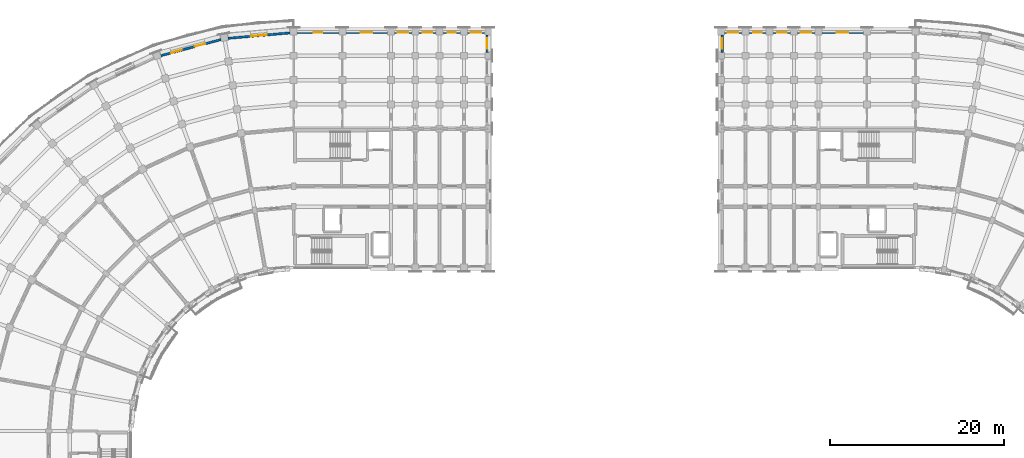
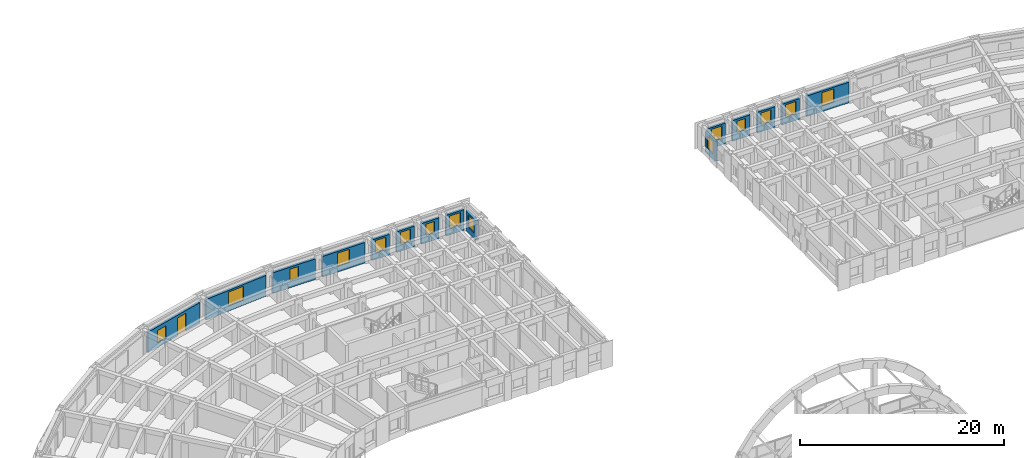
# One storey, part 55 of 76: 15 walls, 15 windows, 1 door, 16 openings.
"""IFC4 building model written with IfcOpenShell, lengths in metres."""

from ifc_helpers import new_model, si_unit, direction, frame, frame_2d, origin, place, context, subcontext, project, spatial, rectangle, extrude, material, layer, layer_set, type_object, element, fill, save


model = new_model("IFC4")

# Units and contexts
model_context = context("Model", 3, precision=1e-05, world=origin(), true_north=direction((0.0, 1.0)))
body_context = subcontext(model_context, "Body", "Model", "MODEL_VIEW")
ifc_project = project(units=[si_unit("LENGTHUNIT", "METRE"), si_unit("AREAUNIT", "SQUARE_METRE"), si_unit("VOLUMEUNIT", "CUBIC_METRE"), si_unit("PLANEANGLEUNIT", "RADIAN"), si_unit("MASSUNIT", "GRAM", prefix="KILO")], contexts=[model_context])

# Site, building, storey
site_placement = place(None, origin())
site = spatial("IfcSite", under=ifc_project, at=site_placement, CompositionType="ELEMENT")
building_placement = place(site_placement, origin())
building = spatial("IfcBuilding", under=site, at=building_placement, Name="Kiranvali Square Residences", CompositionType="ELEMENT")
storey_placement = place(building_placement, frame((0.0, 0.0, 8.699951171875)))
storey = spatial("IfcBuildingStorey", under=building, at=storey_placement, Name="L02", CompositionType="ELEMENT", Elevation=8.699951171875)

# Wall, opening, window
ifc_material_1 = material(Name="Breathable lime-rendered clay brick masonry", Category="masonry")
ifc_layer = layer(ifc_material_1, 0.27490234375)
ifc_layer_set = layer_set([ifc_layer], Name="Breathable lime-rendered clay brick masonry")
wall_type = type_object("IfcWallType", Name="WL-EXT-275", PredefinedType="STANDARD", material=ifc_layer_set)
wall_1_placement = place(storey_placement, frame((47.785400390625, 133.63818359375, 0.0), z_axis=(0.0, 0.0, 1.0), x_axis=(-0.99619608453, -0.08713989423, 0.0)))
wall_1 = element("IfcWall", 1, at=wall_1_placement, inside=storey, type_object=wall_type, Name="L02 exterior wall A-L02-CRV-00", PredefinedType="STANDARD", context=body_context, shape_type="SweptSolid", body=[
    extrude(rectangle(XDim=7.1640625, YDim=0.27490234375, at=frame_2d((3.58203125, 0.0))), origin(), (0.0, 0.0, 1.0), 2.47216796875),
])
opening_1_placement = place(wall_1_placement, frame((2.68212890625, 0.0, 0.6220703125)))
opening_1 = element("IfcOpeningElement", 2, at=opening_1_placement, cuts=wall_1, Name="Opening W-04", PredefinedType="OPENING", context=body_context, shape_type="SweptSolid", body=[
    extrude(rectangle(XDim=1.800048828125, YDim=1.64990234375, at=frame_2d((0.89990234375, 0.824951171875))), frame((0.0, 0.1474609375, 0.0), z_axis=(0.0, -1.0, 0.0), x_axis=(1.0, 0.0, 0.0)), (0.0, 0.0, 1.0), 0.294921875),
])
ifc_material_2 = material(Name="Solar-control low-e double glazing", Category="glass")
window_type_1 = type_object("IfcWindowType", Name="WIN-RES-1800x1650", PartitioningType="DOUBLE_PANEL_VERTICAL", PredefinedType="WINDOW", material=ifc_material_2)
window_1_placement = place(opening_1_placement, origin())
window_1 = element("IfcWindow", 3, at=window_1_placement, inside=storey, type_object=window_type_1, Name="L02 recessed window A-L02-CRV-00", OverallHeight=1.64990234375, OverallWidth=1.800048828125, PartitioningType="DOUBLE_PANEL_VERTICAL", PredefinedType="WINDOW", context=body_context, shape_type="SweptSolid", body=[
    extrude(rectangle(XDim=1.800048828125, YDim=1.64990234375, at=frame_2d((0.89990234375, 0.824951171875))), frame((0.0, 0.030029296875, 0.0), z_axis=(0.0, -1.0, 0.0), x_axis=(1.0, 0.0, 0.0)), (0.0, 0.0, 1.0), 0.06005859375),
])
fill(opening_1, window_1)

# Wall, openings, door, window
wall_2_placement = place(storey_placement, frame((39.83203125, 132.869873046875, 0.0), z_axis=(0.0, 0.0, 1.0), x_axis=(-0.965923712619, -0.258826933296, 0.0)))
wall_2 = element("IfcWall", 4, at=wall_2_placement, inside=storey, type_object=wall_type, Name="L02 exterior wall A-L02-CRV-01", PredefinedType="STANDARD", context=body_context, shape_type="SweptSolid", body=[
    extrude(rectangle(XDim=7.1640625, YDim=0.27490234375, at=frame_2d((3.58203125, 0.0))), origin(), (0.0, 0.0, 1.0), 2.47216796875),
])
opening_2_placement = place(wall_2_placement, frame((4.6904296875, 0.0, 0.52197265625)))
opening_2 = element("IfcOpeningElement", 5, at=opening_2_placement, cuts=wall_2, Name="Opening W-06", PredefinedType="OPENING", context=body_context, shape_type="SweptSolid", body=[
    extrude(rectangle(XDim=1.199951171875, YDim=1.5, at=frame_2d((0.60009765625, 0.75))), frame((0.0, 0.1474609375, 0.0), z_axis=(0.0, -1.0, 0.0), x_axis=(1.0, 0.0, 0.0)), (0.0, 0.0, 1.0), 0.294921875),
])
opening_3_placement = place(wall_2_placement, frame((1.907470703125, 0.0, 0.0)))
opening_3 = element("IfcOpeningElement", 6, at=opening_3_placement, cuts=wall_2, Name="Opening ED-BAL-1", PredefinedType="OPENING", context=body_context, shape_type="SweptSolid", body=[
    extrude(rectangle(XDim=1.199951171875, YDim=2.14990234375, at=frame_2d((0.60009765625, 1.074951171875))), frame((0.0, 0.1474609375, 0.0), z_axis=(0.0, -1.0, 0.0), x_axis=(1.0, 0.0, 0.0)), (0.0, 0.0, 1.0), 0.294921875),
])
ifc_material_3 = material(Name="Anodised bronze aluminium framing", Category="aluminium")
door_type = type_object("IfcDoorType", Name="DR-BAL-1200", OperationType="NOTDEFINED", PredefinedType="DOOR", material=ifc_material_3)
door_placement = place(opening_3_placement, frame((1.199951171875, 0.0, 0.0), z_axis=(0.0, 0.0, 1.0), x_axis=(-1.0, 0.0, 0.0)))
door = element("IfcDoor", 7, at=door_placement, inside=storey, type_object=door_type, Name="L02 balcony terrace door", OperationType="SINGLE_SWING_LEFT", OverallHeight=2.14990234375, OverallWidth=1.199951171875, PredefinedType="DOOR", context=body_context, shape_type="SweptSolid", body=[
    extrude(rectangle(XDim=1.199951171875, YDim=2.14990234375, at=frame_2d((0.60009765625, 1.074951171875))), frame((0.0, 0.02490234375, 0.0), z_axis=(0.0, -1.0, 0.0), x_axis=(1.0, 0.0, 0.0)), (0.0, 0.0, 1.0), 0.050048828125),
])
fill(opening_3, door)
window_type_2 = type_object("IfcWindowType", Name="WIN-RES-1200x1500", PartitioningType="SINGLE_PANEL", PredefinedType="WINDOW", material=ifc_material_2)
window_2_placement = place(opening_2_placement, origin())
window_2 = element("IfcWindow", 8, at=window_2_placement, inside=storey, type_object=window_type_2, Name="L02 recessed window A-L02-CRV-01", OverallHeight=1.5, OverallWidth=1.199951171875, PartitioningType="SINGLE_PANEL", PredefinedType="WINDOW", context=body_context, shape_type="SweptSolid", body=[
    extrude(rectangle(XDim=1.199951171875, YDim=1.5, at=frame_2d((0.60009765625, 0.75))), frame((0.0, 0.030029296875, 0.0), z_axis=(0.0, -1.0, 0.0), x_axis=(1.0, 0.0, 0.0)), (0.0, 0.0, 1.0), 0.06005859375),
])
fill(opening_2, window_2)

# Wall, opening, window
wall_3_placement = place(storey_placement, frame((48.603515625, 133.675048828125, 0.0), z_axis=(0.0, 0.0, 1.0), x_axis=(1.0, 0.0, 0.0)))
wall_3 = element("IfcWall", 9, at=wall_3_placement, inside=storey, type_object=wall_type, Name="L02 exterior wall A-L02-A1O-0", PredefinedType="STANDARD", context=body_context, shape_type="SweptSolid", body=[
    extrude(rectangle(XDim=4.79296875, YDim=0.27490234375, at=frame_2d((2.396484375, 0.0))), origin(), (0.0, 0.0, 1.0), 2.47216796875),
])
opening_4_placement = place(wall_3_placement, frame((1.92138671875, 0.0, 0.8798828125)))
opening_4 = element("IfcOpeningElement", 10, at=opening_4_placement, cuts=wall_3, Name="Opening W-16", PredefinedType="OPENING", context=body_context, shape_type="SweptSolid", body=[
    extrude(rectangle(XDim=0.949951171875, YDim=1.35009765625, at=frame_2d((0.47509765625, 0.675048828125))), frame((0.0, 0.1474609375, 0.0), z_axis=(0.0, -1.0, 0.0), x_axis=(1.0, 0.0, 0.0)), (0.0, 0.0, 1.0), 0.294921875),
])
window_type_3 = type_object("IfcWindowType", Name="WIN-RES-950x1350", PartitioningType="SINGLE_PANEL", PredefinedType="WINDOW", material=ifc_material_2)
window_3_placement = place(opening_4_placement, origin())
window_3 = element("IfcWindow", 11, at=window_3_placement, inside=storey, type_object=window_type_3, Name="L02 recessed window A-L02-A1O-0", OverallHeight=1.35009765625, OverallWidth=0.949951171875, PartitioningType="SINGLE_PANEL", PredefinedType="WINDOW", context=body_context, shape_type="SweptSolid", body=[
    extrude(rectangle(XDim=0.949951171875, YDim=1.35009765625, at=frame_2d((0.47509765625, 0.675048828125))), frame((0.0, 0.030029296875, 0.0), z_axis=(0.0, -1.0, 0.0), x_axis=(1.0, 0.0, 0.0)), (0.0, 0.0, 1.0), 0.06005859375),
])
fill(opening_4, window_3)

wall_4_placement = place(storey_placement, frame((54.20361328125, 133.675048828125, 0.0), z_axis=(0.0, 0.0, 1.0), x_axis=(1.0, 0.0, 0.0)))
wall_4 = element("IfcWall", 12, at=wall_4_placement, inside=storey, type_object=wall_type, Name="L02 exterior wall A-L02-A1O-1", PredefinedType="STANDARD", context=body_context, shape_type="SweptSolid", body=[
    extrude(rectangle(XDim=4.79296875, YDim=0.27490234375, at=frame_2d((2.396484375, 0.0))), origin(), (0.0, 0.0, 1.0), 2.47216796875),
])
opening_5_placement = place(wall_4_placement, frame((1.721435546875, 0.0, 0.672119140625)))
opening_5 = element("IfcOpeningElement", 13, at=opening_5_placement, cuts=wall_4, Name="Opening W-14", PredefinedType="OPENING", context=body_context, shape_type="SweptSolid", body=[
    extrude(rectangle(XDim=1.35009765625, YDim=1.60009765625, at=frame_2d((0.675048828125, 0.800048828125))), frame((0.0, 0.1474609375, 0.0), z_axis=(0.0, -1.0, 0.0), x_axis=(1.0, 0.0, 0.0)), (0.0, 0.0, 1.0), 0.294921875),
])
window_type_4 = type_object("IfcWindowType", Name="WIN-RES-1350x1600", PartitioningType="DOUBLE_PANEL_VERTICAL", PredefinedType="WINDOW", material=ifc_material_2)
window_4_placement = place(opening_5_placement, origin())
window_4 = element("IfcWindow", 14, at=window_4_placement, inside=storey, type_object=window_type_4, Name="L02 recessed window A-L02-A1O-1", OverallHeight=1.60009765625, OverallWidth=1.35009765625, PartitioningType="DOUBLE_PANEL_VERTICAL", PredefinedType="WINDOW", context=body_context, shape_type="SweptSolid", body=[
    extrude(rectangle(XDim=1.35009765625, YDim=1.60009765625, at=frame_2d((0.675048828125, 0.800048828125))), frame((0.0, 0.030029296875, 0.0), z_axis=(0.0, -1.0, 0.0), x_axis=(1.0, 0.0, 0.0)), (0.0, 0.0, 1.0), 0.06005859375),
])
fill(opening_5, window_4)

wall_5_placement = place(storey_placement, frame((59.803466796875, 133.675048828125, 0.0), z_axis=(0.0, 0.0, 1.0), x_axis=(1.0, 0.0, 0.0)))
wall_5 = element("IfcWall", 15, at=wall_5_placement, inside=storey, type_object=wall_type, Name="L02 exterior wall A-L02-A1O-2", PredefinedType="STANDARD", context=body_context, shape_type="SweptSolid", body=[
    extrude(rectangle(XDim=1.992919921875, YDim=0.27490234375, at=frame_2d((0.99658203125, 0.0))), origin(), (0.0, 0.0, 1.0), 2.47216796875),
])
opening_6_placement = place(wall_5_placement, frame((0.396484375, 0.0, 0.77197265625)))
opening_6 = element("IfcOpeningElement", 16, at=opening_6_placement, cuts=wall_5, Name="Opening W-06", PredefinedType="OPENING", context=body_context, shape_type="SweptSolid", body=[
    extrude(rectangle(XDim=1.199951171875, YDim=1.5, at=frame_2d((0.60009765625, 0.75))), frame((0.0, 0.1474609375, 0.0), z_axis=(0.0, -1.0, 0.0), x_axis=(1.0, 0.0, 0.0)), (0.0, 0.0, 1.0), 0.294921875),
])
window_5_placement = place(opening_6_placement, origin())
window_5 = element("IfcWindow", 17, at=window_5_placement, inside=storey, type_object=window_type_2, Name="L02 recessed window A-L02-A1O-2", OverallHeight=1.5, OverallWidth=1.199951171875, PartitioningType="SINGLE_PANEL", PredefinedType="WINDOW", context=body_context, shape_type="SweptSolid", body=[
    extrude(rectangle(XDim=1.199951171875, YDim=1.5, at=frame_2d((0.60009765625, 0.75))), frame((0.0, 0.030029296875, 0.0), z_axis=(0.0, -1.0, 0.0), x_axis=(1.0, 0.0, 0.0)), (0.0, 0.0, 1.0), 0.06005859375),
])
fill(opening_6, window_5)

wall_6_placement = place(storey_placement, frame((62.603515625, 133.675048828125, 0.0), z_axis=(0.0, 0.0, 1.0), x_axis=(1.0, 0.0, 0.0)))
wall_6 = element("IfcWall", 18, at=wall_6_placement, inside=storey, type_object=wall_type, Name="L02 exterior wall A-L02-A1O-3", PredefinedType="STANDARD", context=body_context, shape_type="SweptSolid", body=[
    extrude(rectangle(XDim=1.992919921875, YDim=0.27490234375, at=frame_2d((0.99658203125, 0.0))), origin(), (0.0, 0.0, 1.0), 2.47216796875),
])
opening_7_placement = place(wall_6_placement, frame((0.446533203125, 0.0, 0.822021484375)))
opening_7 = element("IfcOpeningElement", 19, at=opening_7_placement, cuts=wall_6, Name="Opening W-15", PredefinedType="OPENING", context=body_context, shape_type="SweptSolid", body=[
    extrude(rectangle(XDim=1.10009765625, YDim=1.449951171875, at=frame_2d((0.550048828125, 0.72509765625))), frame((0.0, 0.1474609375, 0.0), z_axis=(0.0, -1.0, 0.0), x_axis=(1.0, 0.0, 0.0)), (0.0, 0.0, 1.0), 0.294921875),
])
window_type_5 = type_object("IfcWindowType", Name="WIN-RES-1100x1450", PartitioningType="SINGLE_PANEL", PredefinedType="WINDOW", material=ifc_material_2)
window_6_placement = place(opening_7_placement, origin())
window_6 = element("IfcWindow", 20, at=window_6_placement, inside=storey, type_object=window_type_5, Name="L02 recessed window A-L02-A1O-3", OverallHeight=1.449951171875, OverallWidth=1.10009765625, PartitioningType="SINGLE_PANEL", PredefinedType="WINDOW", context=body_context, shape_type="SweptSolid", body=[
    extrude(rectangle(XDim=1.10009765625, YDim=1.449951171875, at=frame_2d((0.550048828125, 0.72509765625))), frame((0.0, 0.030029296875, 0.0), z_axis=(0.0, -1.0, 0.0), x_axis=(1.0, 0.0, 0.0)), (0.0, 0.0, 1.0), 0.06005859375),
])
fill(opening_7, window_6)

wall_7_placement = place(storey_placement, frame((65.403564453125, 133.675048828125, 0.0), z_axis=(0.0, 0.0, 1.0), x_axis=(1.0, 0.0, 0.0)))
wall_7 = element("IfcWall", 21, at=wall_7_placement, inside=storey, type_object=wall_type, Name="L02 exterior wall A-L02-A1O-4", PredefinedType="STANDARD", context=body_context, shape_type="SweptSolid", body=[
    extrude(rectangle(XDim=1.992919921875, YDim=0.27490234375, at=frame_2d((0.99658203125, 0.0))), origin(), (0.0, 0.0, 1.0), 2.47216796875),
])
opening_8_placement = place(wall_7_placement, frame((0.521484375, 0.0, 0.8798828125)))
opening_8 = element("IfcOpeningElement", 22, at=opening_8_placement, cuts=wall_7, Name="Opening W-16", PredefinedType="OPENING", context=body_context, shape_type="SweptSolid", body=[
    extrude(rectangle(XDim=0.949951171875, YDim=1.35009765625, at=frame_2d((0.47509765625, 0.675048828125))), frame((0.0, 0.1474609375, 0.0), z_axis=(0.0, -1.0, 0.0), x_axis=(1.0, 0.0, 0.0)), (0.0, 0.0, 1.0), 0.294921875),
])
window_7_placement = place(opening_8_placement, origin())
window_7 = element("IfcWindow", 23, at=window_7_placement, inside=storey, type_object=window_type_3, Name="L02 recessed window A-L02-A1O-4", OverallHeight=1.35009765625, OverallWidth=0.949951171875, PartitioningType="SINGLE_PANEL", PredefinedType="WINDOW", context=body_context, shape_type="SweptSolid", body=[
    extrude(rectangle(XDim=0.949951171875, YDim=1.35009765625, at=frame_2d((0.47509765625, 0.675048828125))), frame((0.0, 0.030029296875, 0.0), z_axis=(0.0, -1.0, 0.0), x_axis=(1.0, 0.0, 0.0)), (0.0, 0.0, 1.0), 0.06005859375),
])
fill(opening_8, window_7)

wall_8_placement = place(storey_placement, frame((68.20361328125, 133.675048828125, 0.0), z_axis=(0.0, 0.0, 1.0), x_axis=(1.0, 0.0, 0.0)))
wall_8 = element("IfcWall", 24, at=wall_8_placement, inside=storey, type_object=wall_type, Name="L02 exterior wall A-L02-A1O-5", PredefinedType="STANDARD", context=body_context, shape_type="SweptSolid", body=[
    extrude(rectangle(XDim=1.992919921875, YDim=0.27490234375, at=frame_2d((0.99658203125, 0.0))), origin(), (0.0, 0.0, 1.0), 2.47216796875),
])
opening_9_placement = place(wall_8_placement, frame((0.396484375, 0.0, 0.77197265625)))
opening_9 = element("IfcOpeningElement", 25, at=opening_9_placement, cuts=wall_8, Name="Opening W-06", PredefinedType="OPENING", context=body_context, shape_type="SweptSolid", body=[
    extrude(rectangle(XDim=1.199951171875, YDim=1.5, at=frame_2d((0.60009765625, 0.75))), frame((0.0, 0.1474609375, 0.0), z_axis=(0.0, -1.0, 0.0), x_axis=(1.0, 0.0, 0.0)), (0.0, 0.0, 1.0), 0.294921875),
])
window_8_placement = place(opening_9_placement, origin())
window_8 = element("IfcWindow", 26, at=window_8_placement, inside=storey, type_object=window_type_2, Name="L02 recessed window A-L02-A1O-5", OverallHeight=1.5, OverallWidth=1.199951171875, PartitioningType="SINGLE_PANEL", PredefinedType="WINDOW", context=body_context, shape_type="SweptSolid", body=[
    extrude(rectangle(XDim=1.199951171875, YDim=1.5, at=frame_2d((0.60009765625, 0.75))), frame((0.0, 0.030029296875, 0.0), z_axis=(0.0, -1.0, 0.0), x_axis=(1.0, 0.0, 0.0)), (0.0, 0.0, 1.0), 0.06005859375),
])
fill(opening_9, window_8)

wall_9_placement = place(storey_placement, frame((70.47509765625, 131.403564453125, 0.0), z_axis=(0.0, 0.0, 1.0), x_axis=(0.0, 1.0, 0.0)))
wall_9 = element("IfcWall", 27, at=wall_9_placement, inside=storey, type_object=wall_type, Name="L02 exterior wall A-L02-A1END-6", PredefinedType="STANDARD", context=body_context, shape_type="SweptSolid", body=[
    extrude(rectangle(XDim=1.992919921875, YDim=0.27490234375, at=frame_2d((0.99658203125, 0.0))), origin(), (0.0, 0.0, 1.0), 2.3720703125),
])
opening_10_placement = place(wall_9_placement, frame((0.396484375, 0.0, 0.672119140625)))
opening_10 = element("IfcOpeningElement", 28, at=opening_10_placement, cuts=wall_9, Name="Opening W-06", PredefinedType="OPENING", context=body_context, shape_type="SweptSolid", body=[
    extrude(rectangle(XDim=1.199951171875, YDim=1.5, at=frame_2d((0.60009765625, 0.75))), frame((0.0, 0.1474609375, 0.0), z_axis=(0.0, -1.0, 0.0), x_axis=(1.0, 0.0, 0.0)), (0.0, 0.0, 1.0), 0.294921875),
])
window_9_placement = place(opening_10_placement, origin())
window_9 = element("IfcWindow", 29, at=window_9_placement, inside=storey, type_object=window_type_2, Name="L02 recessed window A-L02-A1END-6", OverallHeight=1.5, OverallWidth=1.199951171875, PartitioningType="SINGLE_PANEL", PredefinedType="WINDOW", context=body_context, shape_type="SweptSolid", body=[
    extrude(rectangle(XDim=1.199951171875, YDim=1.5, at=frame_2d((0.60009765625, 0.75))), frame((0.0, 0.030029296875, 0.0), z_axis=(0.0, -1.0, 0.0), x_axis=(1.0, 0.0, 0.0)), (0.0, 0.0, 1.0), 0.06005859375),
])
fill(opening_10, window_9)

wall_10_placement = place(storey_placement, frame((113.79638671875, 133.675048828125, 0.0), z_axis=(0.0, 0.0, 1.0), x_axis=(-1.0, 0.0, 0.0)))
wall_10 = element("IfcWall", 30, at=wall_10_placement, inside=storey, type_object=wall_type, Name="L02 exterior wall B-L02-A1O-1", PredefinedType="STANDARD", context=body_context, shape_type="SweptSolid", body=[
    extrude(rectangle(XDim=4.79296875, YDim=0.27490234375, at=frame_2d((2.396484375, 0.0))), origin(), (0.0, 0.0, 1.0), 2.47216796875),
])
opening_11_placement = place(wall_10_placement, frame((1.721435546875, 0.0, 0.672119140625)))
opening_11 = element("IfcOpeningElement", 31, at=opening_11_placement, cuts=wall_10, Name="Opening W-14", PredefinedType="OPENING", context=body_context, shape_type="SweptSolid", body=[
    extrude(rectangle(XDim=1.35009765625, YDim=1.60009765625, at=frame_2d((0.675048828125, 0.800048828125))), frame((0.0, 0.1474609375, 0.0), z_axis=(0.0, -1.0, 0.0), x_axis=(1.0, 0.0, 0.0)), (0.0, 0.0, 1.0), 0.294921875),
])
window_10_placement = place(opening_11_placement, origin())
window_10 = element("IfcWindow", 32, at=window_10_placement, inside=storey, type_object=window_type_4, Name="L02 recessed window B-L02-A1O-1", OverallHeight=1.60009765625, OverallWidth=1.35009765625, PartitioningType="DOUBLE_PANEL_VERTICAL", PredefinedType="WINDOW", context=body_context, shape_type="SweptSolid", body=[
    extrude(rectangle(XDim=1.35009765625, YDim=1.60009765625, at=frame_2d((0.675048828125, 0.800048828125))), frame((0.0, 0.030029296875, 0.0), z_axis=(0.0, -1.0, 0.0), x_axis=(1.0, 0.0, 0.0)), (0.0, 0.0, 1.0), 0.06005859375),
])
fill(opening_11, window_10)

wall_11_placement = place(storey_placement, frame((108.196533203125, 133.675048828125, 0.0), z_axis=(0.0, 0.0, 1.0), x_axis=(-1.0, 0.0, 0.0)))
wall_11 = element("IfcWall", 33, at=wall_11_placement, inside=storey, type_object=wall_type, Name="L02 exterior wall B-L02-A1O-2", PredefinedType="STANDARD", context=body_context, shape_type="SweptSolid", body=[
    extrude(rectangle(XDim=1.992919921875, YDim=0.27490234375, at=frame_2d((0.99658203125, 0.0))), origin(), (0.0, 0.0, 1.0), 2.47216796875),
])
opening_12_placement = place(wall_11_placement, frame((0.396484375, 0.0, 0.77197265625)))
opening_12 = element("IfcOpeningElement", 34, at=opening_12_placement, cuts=wall_11, Name="Opening W-06", PredefinedType="OPENING", context=body_context, shape_type="SweptSolid", body=[
    extrude(rectangle(XDim=1.199951171875, YDim=1.5, at=frame_2d((0.60009765625, 0.75))), frame((0.0, 0.1474609375, 0.0), z_axis=(0.0, -1.0, 0.0), x_axis=(1.0, 0.0, 0.0)), (0.0, 0.0, 1.0), 0.294921875),
])
window_11_placement = place(opening_12_placement, origin())
window_11 = element("IfcWindow", 35, at=window_11_placement, inside=storey, type_object=window_type_2, Name="L02 recessed window B-L02-A1O-2", OverallHeight=1.5, OverallWidth=1.199951171875, PartitioningType="SINGLE_PANEL", PredefinedType="WINDOW", context=body_context, shape_type="SweptSolid", body=[
    extrude(rectangle(XDim=1.199951171875, YDim=1.5, at=frame_2d((0.60009765625, 0.75))), frame((0.0, 0.030029296875, 0.0), z_axis=(0.0, -1.0, 0.0), x_axis=(1.0, 0.0, 0.0)), (0.0, 0.0, 1.0), 0.06005859375),
])
fill(opening_12, window_11)

wall_12_placement = place(storey_placement, frame((105.396484375, 133.675048828125, 0.0), z_axis=(0.0, 0.0, 1.0), x_axis=(-1.0, 0.0, 0.0)))
wall_12 = element("IfcWall", 36, at=wall_12_placement, inside=storey, type_object=wall_type, Name="L02 exterior wall B-L02-A1O-3", PredefinedType="STANDARD", context=body_context, shape_type="SweptSolid", body=[
    extrude(rectangle(XDim=1.992919921875, YDim=0.27490234375, at=frame_2d((0.99658203125, 0.0))), origin(), (0.0, 0.0, 1.0), 2.47216796875),
])
opening_13_placement = place(wall_12_placement, frame((0.446533203125, 0.0, 0.822021484375)))
opening_13 = element("IfcOpeningElement", 37, at=opening_13_placement, cuts=wall_12, Name="Opening W-15", PredefinedType="OPENING", context=body_context, shape_type="SweptSolid", body=[
    extrude(rectangle(XDim=1.10009765625, YDim=1.449951171875, at=frame_2d((0.550048828125, 0.72509765625))), frame((0.0, 0.1474609375, 0.0), z_axis=(0.0, -1.0, 0.0), x_axis=(1.0, 0.0, 0.0)), (0.0, 0.0, 1.0), 0.294921875),
])
window_12_placement = place(opening_13_placement, origin())
window_12 = element("IfcWindow", 38, at=window_12_placement, inside=storey, type_object=window_type_5, Name="L02 recessed window B-L02-A1O-3", OverallHeight=1.449951171875, OverallWidth=1.10009765625, PartitioningType="SINGLE_PANEL", PredefinedType="WINDOW", context=body_context, shape_type="SweptSolid", body=[
    extrude(rectangle(XDim=1.10009765625, YDim=1.449951171875, at=frame_2d((0.550048828125, 0.72509765625))), frame((0.0, 0.030029296875, 0.0), z_axis=(0.0, -1.0, 0.0), x_axis=(1.0, 0.0, 0.0)), (0.0, 0.0, 1.0), 0.06005859375),
])
fill(opening_13, window_12)

wall_13_placement = place(storey_placement, frame((102.596435546875, 133.675048828125, 0.0), z_axis=(0.0, 0.0, 1.0), x_axis=(-1.0, 0.0, 0.0)))
wall_13 = element("IfcWall", 39, at=wall_13_placement, inside=storey, type_object=wall_type, Name="L02 exterior wall B-L02-A1O-4", PredefinedType="STANDARD", context=body_context, shape_type="SweptSolid", body=[
    extrude(rectangle(XDim=1.992919921875, YDim=0.27490234375, at=frame_2d((0.99658203125, 0.0))), origin(), (0.0, 0.0, 1.0), 2.47216796875),
])
opening_14_placement = place(wall_13_placement, frame((0.521484375, 0.0, 0.8798828125)))
opening_14 = element("IfcOpeningElement", 40, at=opening_14_placement, cuts=wall_13, Name="Opening W-16", PredefinedType="OPENING", context=body_context, shape_type="SweptSolid", body=[
    extrude(rectangle(XDim=0.949951171875, YDim=1.35009765625, at=frame_2d((0.47509765625, 0.675048828125))), frame((0.0, 0.1474609375, 0.0), z_axis=(0.0, -1.0, 0.0), x_axis=(1.0, 0.0, 0.0)), (0.0, 0.0, 1.0), 0.294921875),
])
window_13_placement = place(opening_14_placement, origin())
window_13 = element("IfcWindow", 41, at=window_13_placement, inside=storey, type_object=window_type_3, Name="L02 recessed window B-L02-A1O-4", OverallHeight=1.35009765625, OverallWidth=0.949951171875, PartitioningType="SINGLE_PANEL", PredefinedType="WINDOW", context=body_context, shape_type="SweptSolid", body=[
    extrude(rectangle(XDim=0.949951171875, YDim=1.35009765625, at=frame_2d((0.47509765625, 0.675048828125))), frame((0.0, 0.030029296875, 0.0), z_axis=(0.0, -1.0, 0.0), x_axis=(1.0, 0.0, 0.0)), (0.0, 0.0, 1.0), 0.06005859375),
])
fill(opening_14, window_13)

wall_14_placement = place(storey_placement, frame((99.79638671875, 133.675048828125, 0.0), z_axis=(0.0, 0.0, 1.0), x_axis=(-1.0, 0.0, 0.0)))
wall_14 = element("IfcWall", 42, at=wall_14_placement, inside=storey, type_object=wall_type, Name="L02 exterior wall B-L02-A1O-5", PredefinedType="STANDARD", context=body_context, shape_type="SweptSolid", body=[
    extrude(rectangle(XDim=1.992919921875, YDim=0.27490234375, at=frame_2d((0.99658203125, 0.0))), origin(), (0.0, 0.0, 1.0), 2.47216796875),
])
opening_15_placement = place(wall_14_placement, frame((0.396484375, 0.0, 0.77197265625)))
opening_15 = element("IfcOpeningElement", 43, at=opening_15_placement, cuts=wall_14, Name="Opening W-06", PredefinedType="OPENING", context=body_context, shape_type="SweptSolid", body=[
    extrude(rectangle(XDim=1.199951171875, YDim=1.5, at=frame_2d((0.60009765625, 0.75))), frame((0.0, 0.1474609375, 0.0), z_axis=(0.0, -1.0, 0.0), x_axis=(1.0, 0.0, 0.0)), (0.0, 0.0, 1.0), 0.294921875),
])
window_14_placement = place(opening_15_placement, origin())
window_14 = element("IfcWindow", 44, at=window_14_placement, inside=storey, type_object=window_type_2, Name="L02 recessed window B-L02-A1O-5", OverallHeight=1.5, OverallWidth=1.199951171875, PartitioningType="SINGLE_PANEL", PredefinedType="WINDOW", context=body_context, shape_type="SweptSolid", body=[
    extrude(rectangle(XDim=1.199951171875, YDim=1.5, at=frame_2d((0.60009765625, 0.75))), frame((0.0, 0.030029296875, 0.0), z_axis=(0.0, -1.0, 0.0), x_axis=(1.0, 0.0, 0.0)), (0.0, 0.0, 1.0), 0.06005859375),
])
fill(opening_15, window_14)

wall_15_placement = place(storey_placement, frame((97.52490234375, 131.403564453125, 0.0), z_axis=(0.0, 0.0, 1.0), x_axis=(0.0, 1.0, 0.0)))
wall_15 = element("IfcWall", 45, at=wall_15_placement, inside=storey, type_object=wall_type, Name="L02 exterior wall B-L02-A1END-6", PredefinedType="STANDARD", context=body_context, shape_type="SweptSolid", body=[
    extrude(rectangle(XDim=1.992919921875, YDim=0.27490234375, at=frame_2d((0.99658203125, 0.0))), origin(), (0.0, 0.0, 1.0), 2.3720703125),
])
opening_16_placement = place(wall_15_placement, frame((0.396484375, 0.0, 0.672119140625)))
opening_16 = element("IfcOpeningElement", 46, at=opening_16_placement, cuts=wall_15, Name="Opening W-06", PredefinedType="OPENING", context=body_context, shape_type="SweptSolid", body=[
    extrude(rectangle(XDim=1.199951171875, YDim=1.5, at=frame_2d((0.60009765625, 0.75))), frame((0.0, 0.1474609375, 0.0), z_axis=(0.0, -1.0, 0.0), x_axis=(1.0, 0.0, 0.0)), (0.0, 0.0, 1.0), 0.294921875),
])
window_15_placement = place(opening_16_placement, origin())
window_15 = element("IfcWindow", 47, at=window_15_placement, inside=storey, type_object=window_type_2, Name="L02 recessed window B-L02-A1END-6", OverallHeight=1.5, OverallWidth=1.199951171875, PartitioningType="SINGLE_PANEL", PredefinedType="WINDOW", context=body_context, shape_type="SweptSolid", body=[
    extrude(rectangle(XDim=1.199951171875, YDim=1.5, at=frame_2d((0.60009765625, 0.75))), frame((0.0, 0.030029296875, 0.0), z_axis=(0.0, -1.0, 0.0), x_axis=(1.0, 0.0, 0.0)), (0.0, 0.0, 1.0), 0.06005859375),
])
fill(opening_16, window_15)

save(model, "model.ifc")
